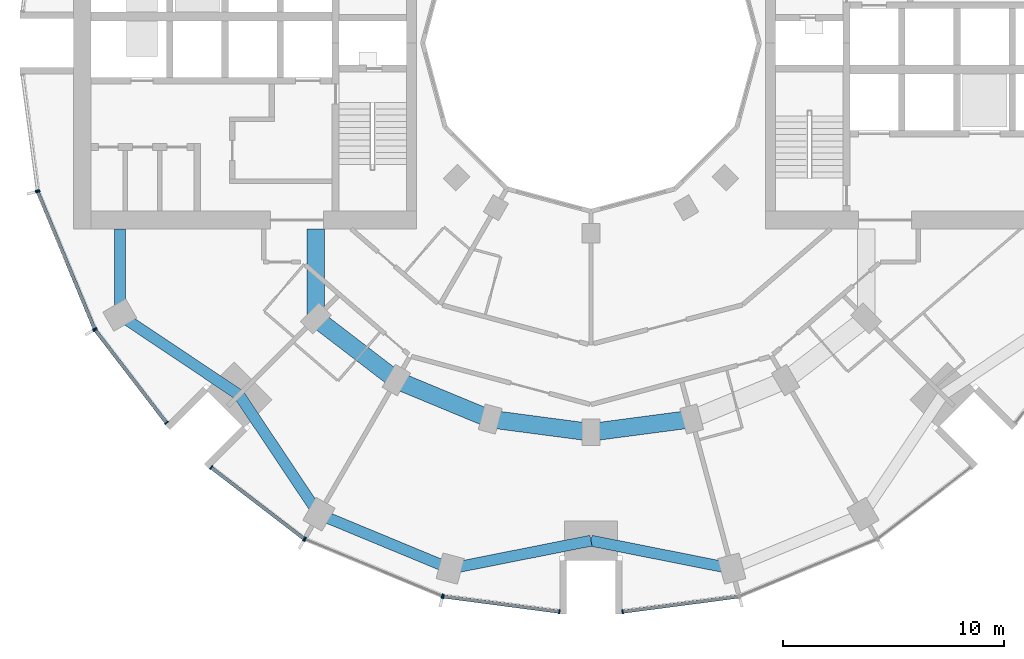
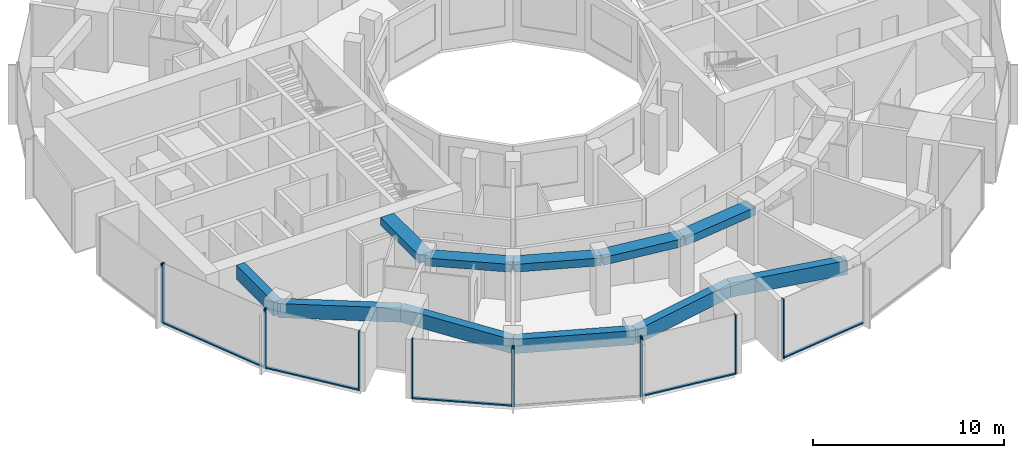
# One storey, part 2 of 15: 17 members, 11 beams, 7 elements without a shape of their own.
"""IFC4 building model written with IfcOpenShell, lengths in metres."""

from ifc_helpers import new_model, si_unit, direction, frame, origin, origin_2d, place, context, subcontext, project, spatial, rectangle, extrude, material, layer, layer_set, material_profile, profile_set, type_object, element, aggregate, save


model = new_model("IFC4")

# Units and contexts
model_context = context("Model", 3, precision=1e-05, world=origin(), true_north=direction((0.0, 1.0)))
body_context = subcontext(model_context, "Body", "Model", "MODEL_VIEW")
ifc_project = project(units=[si_unit("LENGTHUNIT", "METRE"), si_unit("AREAUNIT", "SQUARE_METRE"), si_unit("VOLUMEUNIT", "CUBIC_METRE"), si_unit("PLANEANGLEUNIT", "RADIAN"), si_unit("MASSUNIT", "GRAM", prefix="KILO")], contexts=[model_context])

# Site, building, storey
site_placement = place(None, origin())
site = spatial("IfcSite", under=ifc_project, at=site_placement, CompositionType="ELEMENT")
building_placement = place(site_placement, origin())
building = spatial("IfcBuilding", under=site, at=building_placement, Name="Torre Brocal", CompositionType="ELEMENT")
storey_placement = place(building_placement, frame((0.0, 0.0, 97.60009765625)))
storey = spatial("IfcBuildingStorey", under=building, at=storey_placement, Name="L22", CompositionType="ELEMENT", Elevation=97.60009765625)

# Curtain wall, members
ifc_material_1 = material(Name="Aluminium and glass", Category="aluminium")
ifc_layer_1 = layer(ifc_material_1, 0.199951171875)
ifc_layer_set_1 = layer_set([ifc_layer_1], Name="Aluminium and glass")
curtain_wall_type_1 = type_object("IfcCurtainWallType", Name="CW-1 CURTAIN WALL 3800 HIGH", PredefinedType="NOTDEFINED", material=ifc_layer_set_1)
curtain_wall_1_placement = place(storey_placement, origin())
curtain_wall_1 = element("IfcCurtainWall", 1, at=curtain_wall_1_placement, inside=storey, type_object=curtain_wall_type_1, Name="CW-1 RUN 14", PredefinedType="NOTDEFINED")
ifc_material_2 = material(Name="Aluminium, dark anodised", Category="aluminium")
ifc_material_profile_1 = material_profile(ifc_material_2, rectangle(XDim=0.199951171875, YDim=0.06005859375, at=origin_2d()), Name="CW-1 MULLION 60X200")
ifc_profile_set_1 = profile_set([ifc_material_profile_1], Name="Aluminium, dark anodised")
member_type_1 = type_object("IfcMemberType", Name="CW-1 MULLION 60X200", PredefinedType="MULLION", material=ifc_profile_set_1)
member_1_placement = place(storey_placement, frame((54.994873046875, 68.26904296875, 0.0), z_axis=(0.0, 0.0, 1.0), x_axis=(0.923879532525, 0.382683432333, 0.0)))
member_1 = element("IfcMember", 2, at=member_1_placement, type_object=member_type_1, Name="CW1-1 mullion 1", PredefinedType="MULLION", context=body_context, shape_type="SweptSolid", body=[
    extrude(rectangle(XDim=0.199951171875, YDim=0.06005859375, at=origin_2d()), origin(), (0.0, 0.0, 1.0), 3.7998046875),
])
member_2_placement = place(storey_placement, frame((57.559326171875, 62.078125, 0.0), z_axis=(0.0, 0.0, 1.0), x_axis=(0.923879532525, 0.382683432333, 0.0)))
member_2 = element("IfcMember", 3, at=member_2_placement, type_object=member_type_1, Name="CW1-1 mullion 2", PredefinedType="MULLION", context=body_context, shape_type="SweptSolid", body=[
    extrude(rectangle(XDim=0.199951171875, YDim=0.06005859375, at=origin_2d()), origin(), (0.0, 0.0, 1.0), 3.7998046875),
])

curtain_wall_2_placement = place(storey_placement, origin())
curtain_wall_2 = element("IfcCurtainWall", 4, at=curtain_wall_2_placement, inside=storey, type_object=curtain_wall_type_1, Name="CW-1 RUN 15", PredefinedType="NOTDEFINED")
member_3_placement = place(storey_placement, frame((57.5888671875, 62.026611328125, 0.0), z_axis=(0.0, 0.0, 1.0), x_axis=(0.793353340259, 0.60876142905, 0.0)))
member_3 = element("IfcMember", 5, at=member_3_placement, type_object=member_type_1, Name="CW1-1 mullion 1", PredefinedType="MULLION", context=body_context, shape_type="SweptSolid", body=[
    extrude(rectangle(XDim=0.199951171875, YDim=0.06005859375, at=origin_2d()), origin(), (0.0, 0.0, 1.0), 3.7998046875),
])
member_4_placement = place(storey_placement, frame((60.80859375, 57.83056640625, 0.0), z_axis=(0.0, 0.0, 1.0), x_axis=(0.793353340259, 0.60876142905, 0.0)))
member_4 = element("IfcMember", 6, at=member_4_placement, type_object=member_type_1, Name="CW1-1 mullion 2", PredefinedType="MULLION", context=body_context, shape_type="SweptSolid", body=[
    extrude(rectangle(XDim=0.199951171875, YDim=0.06005859375, at=origin_2d()), origin(), (0.0, 0.0, 1.0), 3.7998046875),
])

curtain_wall_3_placement = place(storey_placement, origin())
curtain_wall_3 = element("IfcCurtainWall", 7, at=curtain_wall_3_placement, inside=storey, type_object=curtain_wall_type_1, Name="CW-1 RUN 16", PredefinedType="NOTDEFINED")
member_5_placement = place(storey_placement, frame((62.83056640625, 55.80859375, 0.0), z_axis=(0.0, 0.0, 1.0), x_axis=(0.60876142905, 0.793353340259, 0.0)))
member_5 = element("IfcMember", 8, at=member_5_placement, type_object=member_type_1, Name="CW1-1 mullion 1", PredefinedType="MULLION", context=body_context, shape_type="SweptSolid", body=[
    extrude(rectangle(XDim=0.199951171875, YDim=0.06005859375, at=origin_2d()), origin(), (0.0, 0.0, 1.0), 3.7998046875),
])
member_6_placement = place(storey_placement, frame((67.026611328125, 52.5888671875, 0.0), z_axis=(0.0, 0.0, 1.0), x_axis=(0.60876142905, 0.793353340259, 0.0)))
member_6 = element("IfcMember", 9, at=member_6_placement, type_object=member_type_1, Name="CW1-1 mullion 2", PredefinedType="MULLION", context=body_context, shape_type="SweptSolid", body=[
    extrude(rectangle(XDim=0.199951171875, YDim=0.06005859375, at=origin_2d()), origin(), (0.0, 0.0, 1.0), 3.7998046875),
])

curtain_wall_4_placement = place(storey_placement, origin())
curtain_wall_4 = element("IfcCurtainWall", 10, at=curtain_wall_4_placement, inside=storey, type_object=curtain_wall_type_1, Name="CW-1 RUN 17", PredefinedType="NOTDEFINED")
member_7_placement = place(storey_placement, frame((67.078125, 52.559326171875, 0.0), z_axis=(0.0, 0.0, 1.0), x_axis=(0.382683432333, 0.923879532525, 0.0)))
member_7 = element("IfcMember", 11, at=member_7_placement, type_object=member_type_1, Name="CW1-1 mullion 1", PredefinedType="MULLION", context=body_context, shape_type="SweptSolid", body=[
    extrude(rectangle(XDim=0.199951171875, YDim=0.06005859375, at=origin_2d()), origin(), (0.0, 0.0, 1.0), 3.7998046875),
])
member_8_placement = place(storey_placement, frame((73.26904296875, 49.994873046875, 0.0), z_axis=(0.0, 0.0, 1.0), x_axis=(0.382683432333, 0.923879532525, 0.0)))
member_8 = element("IfcMember", 12, at=member_8_placement, type_object=member_type_1, Name="CW1-1 mullion 2", PredefinedType="MULLION", context=body_context, shape_type="SweptSolid", body=[
    extrude(rectangle(XDim=0.199951171875, YDim=0.06005859375, at=origin_2d()), origin(), (0.0, 0.0, 1.0), 3.7998046875),
])
aggregate(curtain_wall_4, [member_7, member_8])

curtain_wall_5_placement = place(storey_placement, origin())
curtain_wall_5 = element("IfcCurtainWall", 13, at=curtain_wall_5_placement, inside=storey, type_object=curtain_wall_type_1, Name="CW-1 RUN 18", PredefinedType="NOTDEFINED")
member_9_placement = place(storey_placement, frame((73.32666015625, 49.9794921875, 0.0), z_axis=(0.0, 0.0, 1.0), x_axis=(0.13052619222, 0.991444861374, 0.0)))
member_9 = element("IfcMember", 14, at=member_9_placement, type_object=member_type_1, Name="CW1-1 mullion 1", PredefinedType="MULLION", context=body_context, shape_type="SweptSolid", body=[
    extrude(rectangle(XDim=0.199951171875, YDim=0.06005859375, at=origin_2d()), origin(), (0.0, 0.0, 1.0), 3.7998046875),
])
member_10_placement = place(storey_placement, frame((78.5703125, 49.2890625, 0.0), z_axis=(0.0, 0.0, 1.0), x_axis=(0.13052619222, 0.991444861374, 0.0)))
member_10 = element("IfcMember", 15, at=member_10_placement, type_object=member_type_1, Name="CW1-1 mullion 2", PredefinedType="MULLION", context=body_context, shape_type="SweptSolid", body=[
    extrude(rectangle(XDim=0.199951171875, YDim=0.06005859375, at=origin_2d()), origin(), (0.0, 0.0, 1.0), 3.7998046875),
])

# Curtain wall, member
curtain_wall_6_placement = place(storey_placement, origin())
curtain_wall_6 = element("IfcCurtainWall", 16, at=curtain_wall_6_placement, inside=storey, type_object=curtain_wall_type_1, Name="CW-1 RUN 19", PredefinedType="NOTDEFINED")
member_11_placement = place(storey_placement, frame((81.4296875, 49.2890625, 0.0), z_axis=(0.0, 0.0, 1.0), x_axis=(-0.13052619222, 0.991444861374, 0.0)))
member_11 = element("IfcMember", 17, at=member_11_placement, type_object=member_type_1, Name="CW1-1 mullion 1", PredefinedType="MULLION", context=body_context, shape_type="SweptSolid", body=[
    extrude(rectangle(XDim=0.199951171875, YDim=0.06005859375, at=origin_2d()), origin(), (0.0, 0.0, 1.0), 3.7998046875),
])

# Member
ifc_material_3 = material(Name="Aluminium, dark anodised", Category="aluminium")
ifc_material_profile_2 = material_profile(ifc_material_3, rectangle(XDim=0.159912109375, YDim=0.080078125, at=origin_2d()), Name="CW-1 TRANSOM 160X80")
ifc_profile_set_2 = profile_set([ifc_material_profile_2], Name="Aluminium, dark anodised")
member_type_2 = type_object("IfcMemberType", Name="CW-1 TRANSOM 160X80", PredefinedType="USERDEFINED", material=ifc_profile_set_2)
member_12_placement = place(storey_placement, frame((55.00634765625, 68.241455078125, 0.039794921875), z_axis=(0.38266457234, -0.923887344364, 0.0), x_axis=(0.923887344364, 0.38266457234, 0.0)))
member_12 = element("IfcMember", 18, at=member_12_placement, type_object=member_type_2, Name="CW1-1 transom 1.1", ObjectType="TRANSOM", PredefinedType="USERDEFINED", context=body_context, shape_type="SweptSolid", body=[
    extrude(rectangle(XDim=0.159912109375, YDim=0.080078125, at=origin_2d()), origin(), (0.0, 0.0, 1.0), 6.640869140625),
])

aggregate(curtain_wall_1, [member_1, member_2, member_12])

member_13_placement = place(storey_placement, frame((57.607177734375, 62.0029296875, 0.039794921875), z_axis=(0.60874908096, -0.79336281513, 0.0), x_axis=(0.79336281513, 0.60874908096, 0.0)))
member_13 = element("IfcMember", 19, at=member_13_placement, type_object=member_type_2, Name="CW1-1 transom 1.1", ObjectType="TRANSOM", PredefinedType="USERDEFINED", context=body_context, shape_type="SweptSolid", body=[
    extrude(rectangle(XDim=0.159912109375, YDim=0.080078125, at=origin_2d()), origin(), (0.0, 0.0, 1.0), 5.22900390625),
])

aggregate(curtain_wall_2, [member_3, member_4, member_13])

member_14_placement = place(storey_placement, frame((62.8544921875, 55.790283203125, 0.039794921875), z_axis=(0.79336281513, -0.60874908096, 0.0), x_axis=(0.60874908096, 0.79336281513, 0.0)))
member_14 = element("IfcMember", 20, at=member_14_placement, type_object=member_type_2, Name="CW1-1 transom 1.1", ObjectType="TRANSOM", PredefinedType="USERDEFINED", context=body_context, shape_type="SweptSolid", body=[
    extrude(rectangle(XDim=0.159912109375, YDim=0.080078125, at=origin_2d()), origin(), (0.0, 0.0, 1.0), 5.22900390625),
])

aggregate(curtain_wall_3, [member_5, member_6, member_14])

member_15_placement = place(storey_placement, frame((73.356201171875, 49.9755859375, 0.039794921875), z_axis=(0.991442690863, -0.130542677827, 0.0), x_axis=(0.130542677827, 0.991442690863, 0.0)))
member_15 = element("IfcMember", 21, at=member_15_placement, type_object=member_type_2, Name="CW1-1 transom 1.1", ObjectType="TRANSOM", PredefinedType="USERDEFINED", context=body_context, shape_type="SweptSolid", body=[
    extrude(rectangle(XDim=0.159912109375, YDim=0.080078125, at=origin_2d()), origin(), (0.0, 0.0, 1.0), 5.22900390625),
])

aggregate(curtain_wall_5, [member_9, member_10, member_15])

member_16_placement = place(storey_placement, frame((81.45947265625, 49.29296875, 0.039794921875), z_axis=(0.991442690863, 0.130542677827, 0.0), x_axis=(-0.130542677827, 0.991442690863, 0.0)))
member_16 = element("IfcMember", 22, at=member_16_placement, type_object=member_type_2, Name="CW1-1 transom 1.1", ObjectType="TRANSOM", PredefinedType="USERDEFINED", context=body_context, shape_type="SweptSolid", body=[
    extrude(rectangle(XDim=0.159912109375, YDim=0.080078125, at=origin_2d()), origin(), (0.0, 0.0, 1.0), 5.22900390625),
])

aggregate(curtain_wall_6, [member_11, member_16])

# Curtain wall, member
ifc_material_4 = material(Name="Aluminium and glass", Category="aluminium")
ifc_layer_2 = layer(ifc_material_4, 0.199951171875)
ifc_layer_set_2 = layer_set([ifc_layer_2], Name="Aluminium and glass")
curtain_wall_type_2 = type_object("IfcCurtainWallType", Name="CW-1B CURTAIN WALL 3800 HIGH", PredefinedType="NOTDEFINED", material=ifc_layer_set_2)
curtain_wall_7_placement = place(storey_placement, origin())
curtain_wall_7 = element("IfcCurtainWall", 23, at=curtain_wall_7_placement, inside=storey, type_object=curtain_wall_type_2, Name="CW-1B RUN 13", PredefinedType="NOTDEFINED")
ifc_material_5 = material(Name="Aluminium, dark anodised", Category="aluminium")
ifc_material_profile_3 = material_profile(ifc_material_5, rectangle(XDim=0.199951171875, YDim=0.06005859375, at=origin_2d()), Name="CW-1B MULLION 60X200")
ifc_profile_set_3 = profile_set([ifc_material_profile_3], Name="Aluminium, dark anodised")
member_type_3 = type_object("IfcMemberType", Name="CW-1B MULLION 60X200", PredefinedType="MULLION", material=ifc_profile_set_3)
member_17_placement = place(storey_placement, frame((54.9794921875, 68.32666015625, 0.0), z_axis=(0.0, 0.0, 1.0), x_axis=(0.991444861374, 0.13052619222, 0.0)))
member_17 = element("IfcMember", 24, at=member_17_placement, type_object=member_type_3, Name="CW1B-1 mullion 2", PredefinedType="MULLION", context=body_context, shape_type="SweptSolid", body=[
    extrude(rectangle(XDim=0.199951171875, YDim=0.06005859375, at=origin_2d()), origin(), (0.0, 0.0, 1.0), 3.7998046875),
])
aggregate(curtain_wall_7, [member_17])

# Beams
ifc_material_6 = material(Name="Concrete C50", Category="concrete")
ifc_material_profile_4 = material_profile(ifc_material_6, rectangle(XDim=0.800048828125, YDim=0.5, at=origin_2d()), Name="RC 800X500")
ifc_profile_set_4 = profile_set([ifc_material_profile_4], Name="Concrete C50")
beam_type_1 = type_object("IfcBeamType", Name="RC BEAM 800X500 C50 TOP 3480", PredefinedType="BEAM", material=ifc_profile_set_4)
beam_1_placement = place(storey_placement, frame((67.554931640625, 62.554931640625, 3.22998046875), z_axis=(0.0, 1.0, 0.0), x_axis=(-1.0, 0.0, 0.0)))
element("IfcBeam", 25, at=beam_1_placement, inside=storey, type_object=beam_type_1, Name="Beam BT-19", PredefinedType="BEAM", context=body_context, shape_type="SweptSolid", body=[
    extrude(rectangle(XDim=0.800048828125, YDim=0.5, at=origin_2d()), origin(), (0.0, 0.0, 1.0), 4.045166015625),
])
beam_2_placement = place(storey_placement, frame((67.554931640625, 62.554931640625, 3.22998046875), z_axis=(0.793358265959, -0.6087550097, 0.0), x_axis=(0.6087550097, 0.793358265959, 0.0)))
element("IfcBeam", 26, at=beam_2_placement, inside=storey, type_object=beam_type_1, Name="Beam BT-19", PredefinedType="BEAM", context=body_context, shape_type="SweptSolid", body=[
    extrude(rectangle(XDim=0.800048828125, YDim=0.5, at=origin_2d()), origin(), (0.0, 0.0, 1.0), 4.594482421875),
])
beam_3_placement = place(storey_placement, frame((71.199951171875, 59.758056640625, 3.22998046875), z_axis=(0.923878240166, -0.382686552348, 0.0), x_axis=(0.382686552348, 0.923878240166, 0.0)))
element("IfcBeam", 27, at=beam_3_placement, inside=storey, type_object=beam_type_1, Name="Beam BT-19", PredefinedType="BEAM", context=body_context, shape_type="SweptSolid", body=[
    extrude(rectangle(XDim=0.800048828125, YDim=0.5, at=origin_2d()), origin(), (0.0, 0.0, 1.0), 4.5947265625),
])
for number, where, z_axis, x_axis, name in (
    (28, (75.44482421875, 57.999755859375, 3.22998046875), (0.991440544449, -0.130558978332, 0.0), (0.130558978332, 0.991440544449, 0.0), "Beam BT-19"),
    (29, (80.0, 57.39990234375, 3.22998046875), (0.991440544449, 0.130558978332, 0.0), (-0.130558978332, 0.991440544449, 0.0), "Beam BT-19"),
):
    element("IfcBeam", number, at=place(storey_placement, frame(where, z_axis=z_axis, x_axis=x_axis)), inside=storey, type_object=beam_type_1, Name=name, PredefinedType="BEAM", context=body_context, shape_type="SweptSolid", body=[
        extrude(rectangle(XDim=0.800048828125, YDim=0.5, at=origin_2d()), origin(), (0.0, 0.0, 1.0), 4.594482421875),
    ])
ifc_material_7 = material(Name="Concrete C50", Category="concrete")
ifc_material_profile_5 = material_profile(ifc_material_7, rectangle(XDim=0.5, YDim=0.89990234375, at=origin_2d()), Name="RC 500X900")
ifc_profile_set_5 = profile_set([ifc_material_profile_5], Name="Concrete C50")
beam_type_2 = type_object("IfcBeamType", Name="RC SPANDREL BEAM 500X900 C50 TOP 3480", PredefinedType="SPANDREL", material=ifc_profile_set_5)
beam_4_placement = place(storey_placement, frame((58.69580078125, 62.699951171875, 3.02978515625), z_axis=(0.0, 1.0, 0.0), x_axis=(-1.0, 0.0, 0.0)))
element("IfcBeam", 30, at=beam_4_placement, inside=storey, type_object=beam_type_2, Name="Beam BT-20", PredefinedType="SPANDREL", context=body_context, shape_type="SweptSolid", body=[
    extrude(rectangle(XDim=0.5, YDim=0.89990234375, at=origin_2d()), origin(), (0.0, 0.0, 1.0), 3.900146484375),
])
for number, where, z_axis, x_axis, name in (
    (31, (58.69580078125, 62.699951171875, 3.02978515625), (0.831076844476, -0.556157602282, 0.0), (0.556157602282, 0.831076844476, 0.0), "Beam BT-20"),
    (32, (64.090087890625, 59.090087890625, 3.02978515625), (0.556157602282, -0.831076844476, 0.0), (0.831076844476, 0.556157602282, 0.0), "Beam BT-20"),
):
    element("IfcBeam", number, at=place(storey_placement, frame(where, z_axis=z_axis, x_axis=x_axis)), inside=storey, type_object=beam_type_2, Name=name, PredefinedType="SPANDREL", context=body_context, shape_type="SweptSolid", body=[
        extrude(rectangle(XDim=0.5, YDim=0.89990234375, at=origin_2d()), origin(), (0.0, 0.0, 1.0), 6.49072265625),
    ])
beam_5_placement = place(storey_placement, frame((67.699951171875, 53.69580078125, 3.02978515625), z_axis=(0.923882462513, -0.382676358639, 0.0), x_axis=(0.382676358639, 0.923882462513, 0.0)))
element("IfcBeam", 33, at=beam_5_placement, inside=storey, type_object=beam_type_2, Name="Beam BT-20", PredefinedType="SPANDREL", context=body_context, shape_type="SweptSolid", body=[
    extrude(rectangle(XDim=0.5, YDim=0.89990234375, at=origin_2d()), origin(), (0.0, 0.0, 1.0), 6.421875),
])
for number, where, z_axis, x_axis, name in (
    (34, (73.633056640625, 51.23828125, 3.02978515625), (0.980924907484, 0.194387051723, 0.0), (-0.194387051723, 0.980924907484, 0.0), "Beam BT-20"),
    (35, (80.0, 52.5, 3.02978515625), (0.980924907484, -0.194387051723, 0.0), (0.194387051723, 0.980924907484, 0.0), "Beam BT-20"),
):
    element("IfcBeam", number, at=place(storey_placement, frame(where, z_axis=z_axis, x_axis=x_axis)), inside=storey, type_object=beam_type_2, Name=name, PredefinedType="SPANDREL", context=body_context, shape_type="SweptSolid", body=[
        extrude(rectangle(XDim=0.5, YDim=0.89990234375, at=origin_2d()), origin(), (0.0, 0.0, 1.0), 6.49072265625),
    ])

save(model, "model.ifc")
